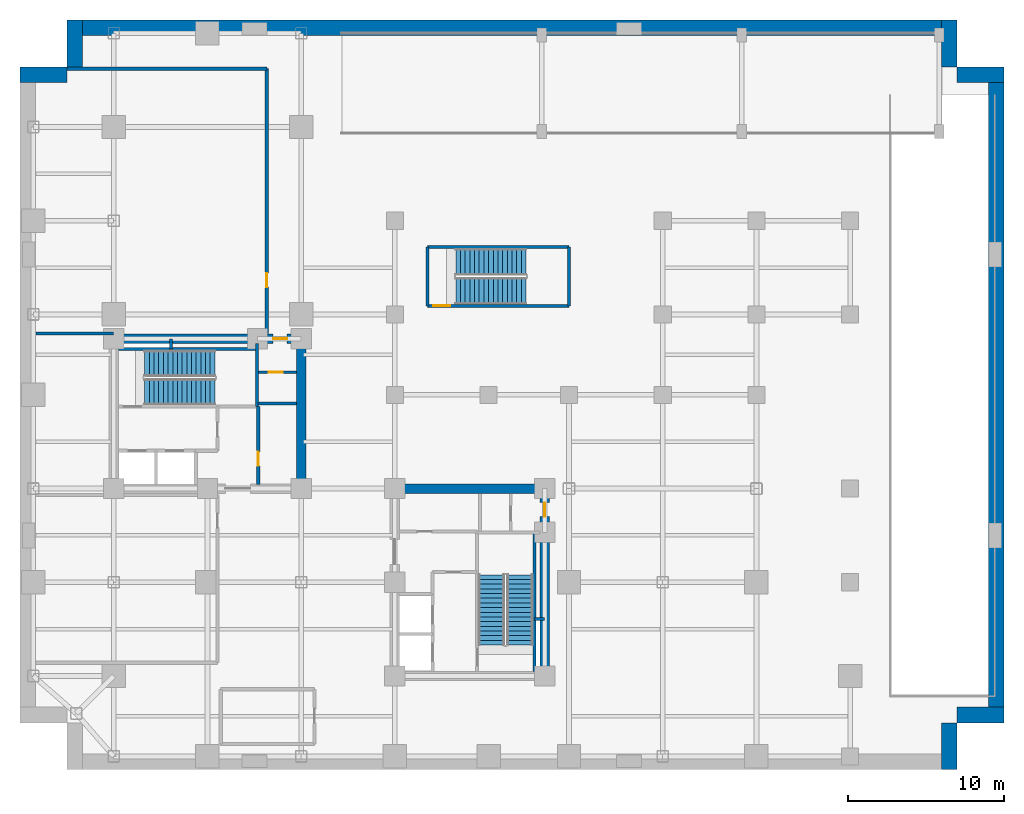
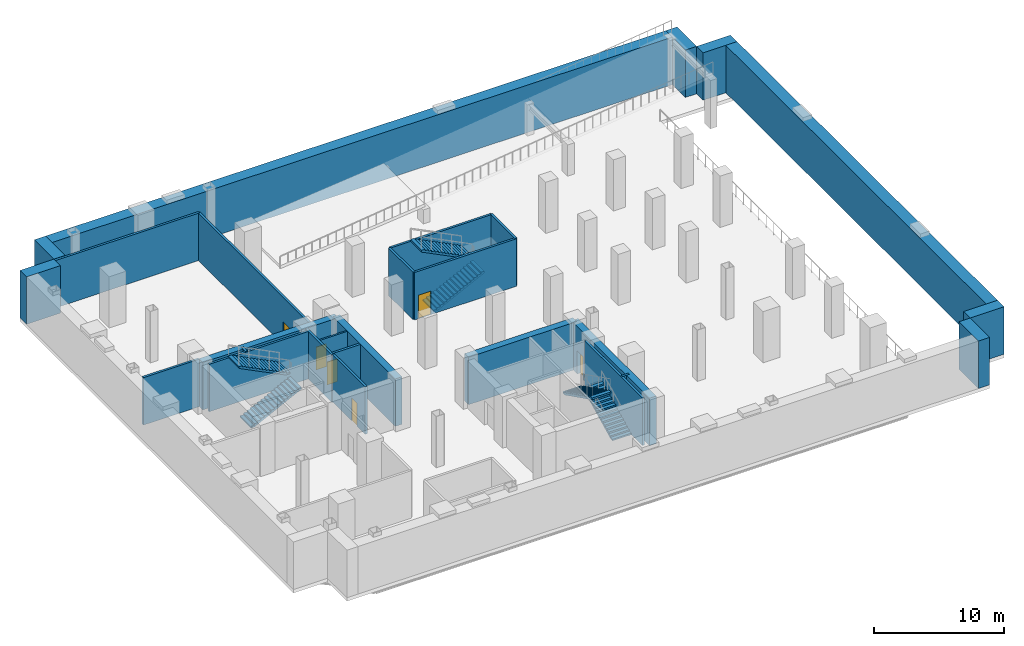
# One storey, part 4 of 6: 27 walls, 6 doors, 6 stair flights, 6 openings, 3 elements without a shape of their own.
"""IFC4 building model written with IfcOpenShell, lengths in metres."""

import ifcopenshell
import ifcopenshell.guid

model = None  # the IFC model being written
_history = None  # IfcOwnerHistory: only IFC2X3 demands one
_inside = {}  # id of a spatial element -> (the spatial element, [elements in it])
_under = {}  # id of a project, library or spatial element -> (it, [spatial elements below it])
_declared = {}  # id of a project -> (the project, [libraries it declares])
_typed = {}  # id of a type object -> (the type object, [elements of that type])
_made_of = {}  # id of a material, layer set ... -> (it, [elements and type objects made of it])


def new_model(schema):
    """Start an empty IFC model of exactly this schema.

    Asked for "IFC4X3", IfcOpenShell would pick the latest addendum, in which some entities
    have other attributes; the version numbers below select the first issue.
    IFC2X3 requires an IfcOwnerHistory on every rooted entity: one is made here for all.
    """
    global model, _history
    if schema == "IFC4X3":
        model = ifcopenshell.file(schema_version=(4, 3, 0, 0))
    else:
        model = ifcopenshell.file(schema=schema)
    _inside.clear()
    _under.clear()
    _declared.clear()
    _typed.clear()
    _made_of.clear()
    _history = None
    if model.schema == "IFC2X3":
        org = make("IfcOrganization", Name="unknown")
        user = make(
            "IfcPersonAndOrganization",
            ThePerson=make("IfcPerson", FamilyName="unknown"),
            TheOrganization=org,
        )
        app = make(
            "IfcApplication",
            ApplicationDeveloper=org,
            Version="unknown",
            ApplicationFullName="unknown",
            ApplicationIdentifier="unknown",
        )
        _history = make(
            "IfcOwnerHistory",
            OwningUser=user,
            OwningApplication=app,
            ChangeAction="ADDED",
            CreationDate=0,
        )
    return model


def make(cls, **values):
    """One entity of the class cls with the attributes given. An attribute that is None is left unset."""
    return model.create_entity(
        cls, **{name: value for name, value in values.items() if value is not None}
    )


def rooted(cls, **values):
    """An entity with a GlobalId (a new one), such as an element, a storey or a relation."""
    return make(cls, GlobalId=ifcopenshell.guid.new(), OwnerHistory=_history, **values)


def si_unit(unit_type, name, prefix=None):
    """IfcSIUnit, for example si_unit("LENGTHUNIT", "METRE", prefix="MILLI")."""
    return make("IfcSIUnit", UnitType=unit_type, Prefix=prefix, Name=name)


def assignment(units):
    """IfcUnitAssignment: the units of a project."""
    return None if units is None else make("IfcUnitAssignment", Units=units)


def point(xyz):
    """IfcCartesianPoint."""
    return None if xyz is None else make("IfcCartesianPoint", Coordinates=xyz)


def direction(xyz):
    """IfcDirection."""
    return None if xyz is None else make("IfcDirection", DirectionRatios=xyz)


def frame(location, z_axis=None, x_axis=None):
    """IfcAxis2Placement3D, a coordinate frame: its origin and axes. An axis left out is left unset."""
    return make(
        "IfcAxis2Placement3D",
        Location=point(location),
        Axis=direction(z_axis),
        RefDirection=direction(x_axis),
    )


def frame_2d(location, x_axis=None):
    """IfcAxis2Placement2D, a coordinate frame in the plane: its origin and x axis."""
    return make(
        "IfcAxis2Placement2D", Location=point(location), RefDirection=direction(x_axis)
    )


def origin():
    """The frame at (0, 0, 0) with its axes left unset."""
    return frame((0.0, 0.0, 0.0))


def place(relative_to, where):
    """IfcLocalPlacement: puts the frame where relative to a parent placement (None: the world)."""
    return make(
        "IfcLocalPlacement", PlacementRelTo=relative_to, RelativePlacement=where
    )


def context(
    kind, dimensions, precision=None, world=None, true_north=None, identifier=None
):
    """IfcGeometricRepresentationContext, for example the 3D "Model" context."""
    return make(
        "IfcGeometricRepresentationContext",
        ContextIdentifier=identifier,
        ContextType=kind,
        CoordinateSpaceDimension=dimensions,
        Precision=precision,
        WorldCoordinateSystem=world,
        TrueNorth=true_north,
    )


def subcontext(parent, identifier, kind, view, scale=None):
    """IfcGeometricRepresentationSubContext, for example "Body" below "Model"."""
    return make(
        "IfcGeometricRepresentationSubContext",
        ContextIdentifier=identifier,
        ContextType=kind,
        ParentContext=parent,
        TargetScale=scale,
        TargetView=view,
    )


def project(units=None, contexts=None):
    """IfcProject with its units and contexts."""
    return rooted(
        "IfcProject",
        Name="project",
        RepresentationContexts=contexts,
        UnitsInContext=assignment(units),
    )


def spatial(cls, under=None, at=None, **own):
    """A site, building, storey or space (cls), placed at a placement, below another one or the project."""
    s = rooted(cls, ObjectPlacement=at, **own)
    if under is not None:
        _under.setdefault(under.id(), (under, []))[1].append(s)
    return s


def polyline(points):
    """IfcPolyline through the points."""
    return make("IfcPolyline", Points=[point(p) for p in points])


def profile(cls, at=None, kind="AREA", **sizes):
    """A parametric profile (cls). Its sizes go by their IFC names, for example OverallWidth=200.0."""
    return make(cls, ProfileType=kind, Position=at, **sizes)


def rectangle(**sizes):
    """IfcRectangleProfileDef."""
    return profile("IfcRectangleProfileDef", **sizes)


def outline(outer, holes=None, kind="AREA"):
    """IfcArbitraryClosedProfileDef: a profile drawn as a closed curve; with holes, ...WithVoids."""
    if holes is None:
        return make("IfcArbitraryClosedProfileDef", ProfileType=kind, OuterCurve=outer)
    return make(
        "IfcArbitraryProfileDefWithVoids",
        ProfileType=kind,
        OuterCurve=outer,
        InnerCurves=holes,
    )


def extrude(swept, where, along, depth):
    """IfcExtrudedAreaSolid: the profile swept, set in the frame where, extruded along a direction by depth."""
    return make(
        "IfcExtrudedAreaSolid",
        SweptArea=swept,
        Position=where,
        ExtrudedDirection=direction(along),
        Depth=depth,
    )


def shape(context_of_items, identifier, shape_type, items):
    """IfcShapeRepresentation: the items that make up one representation, for example the "Body"."""
    return make(
        "IfcShapeRepresentation",
        ContextOfItems=context_of_items,
        RepresentationIdentifier=identifier,
        RepresentationType=shape_type,
        Items=items,
    )


def material(Name=None, Category=None):
    """IfcMaterial."""
    return make("IfcMaterial", Name=Name, Category=Category)


def layer(
    of_material, thickness, ventilated=None, Name=None, Category=None, Priority=None
):
    """IfcMaterialLayer: one layer of a wall or slab, of a material (None: an air gap)."""
    return make(
        "IfcMaterialLayer",
        Material=of_material,
        LayerThickness=thickness,
        IsVentilated=ventilated,
        Name=Name,
        Category=Category,
        Priority=Priority,
    )


def layer_set(layers, Name=None):
    """IfcMaterialLayerSet."""
    return make("IfcMaterialLayerSet", MaterialLayers=layers, LayerSetName=Name)


def made_of(thing, what):
    """Note that an element or type object is made of a material, layer set ...; save() writes the relation."""
    if what is not None:
        _made_of.setdefault(what.id(), (what, []))[1].append(thing)
    return thing


def type_object(cls, material=None, **own):
    """A type object (cls), such as IfcWallType, which elements share."""
    return made_of(rooted(cls, **own), material)


def element(
    cls,
    number,
    at=None,
    inside=None,
    cuts=None,
    type_object=None,
    material=None,
    context=None,
    identifier="Body",
    shape_type=None,
    held_by="IfcProductDefinitionShape",
    body=None,
    shapes=None,
    **own,
):
    """One element of the class cls, such as IfcWall. Its Tag is "e" and its number.

    at: its placement. inside: the storey or other place that contains it. cuts: it is an
    opening in that element (IfcRelVoidsElement). A single representation is given by context,
    identifier, shape_type and body (its items); several are given by shapes. held_by: the class
    of the entity that holds the representations. save() writes the other relations.
    """
    e = rooted(cls, Tag="e%d" % number, ObjectPlacement=at, **own)
    if body is not None:
        shapes = [shape(context, identifier, shape_type, body)]
    if shapes is not None:
        e.Representation = make(held_by, Representations=shapes)
    if inside is not None:
        _inside.setdefault(inside.id(), (inside, []))[1].append(e)
    if cuts is not None:
        rooted(
            "IfcRelVoidsElement", RelatingBuildingElement=cuts, RelatedOpeningElement=e
        )
    if type_object is not None:
        _typed.setdefault(type_object.id(), (type_object, []))[1].append(e)
    return made_of(e, material)


def fill(opening, filler):
    """IfcRelFillsElement: the door or window that sits in an opening."""
    return rooted(
        "IfcRelFillsElement",
        RelatingOpeningElement=opening,
        RelatedBuildingElement=filler,
    )


def aggregate(whole, parts):
    """IfcRelAggregates: a whole, such as a stair, and the parts it consists of."""
    return rooted("IfcRelAggregates", RelatingObject=whole, RelatedObjects=parts)


def save(model, path):
    """Write the relations noted so far, then the file.

    IfcRelAggregates (storeys below a building ...), IfcRelContainedInSpatialStructure (elements
    in a storey), IfcRelDefinesByType, IfcRelAssociatesMaterial and IfcRelDeclares: one each for
    every whole, place, type object, material and project.
    """
    for whole, parts in _under.values():
        aggregate(whole, parts)
    for where, things in _inside.values():
        rooted(
            "IfcRelContainedInSpatialStructure",
            RelatedElements=things,
            RelatingStructure=where,
        )
    for kind, things in _typed.values():
        rooted("IfcRelDefinesByType", RelatedObjects=things, RelatingType=kind)
    for what, things in _made_of.values():
        rooted("IfcRelAssociatesMaterial", RelatedObjects=things, RelatingMaterial=what)
    for by, libraries in _declared.values():
        rooted("IfcRelDeclares", RelatingContext=by, RelatedDefinitions=libraries)
    model.write(path)


model = new_model("IFC4")

# Units and contexts
model_context = context("Model", 3, precision=1e-05, world=origin(), true_north=direction((0.0, 1.0)))
body_context = subcontext(model_context, "Body", "Model", "MODEL_VIEW")
ifc_project = project(units=[si_unit("LENGTHUNIT", "METRE"), si_unit("AREAUNIT", "SQUARE_METRE"), si_unit("VOLUMEUNIT", "CUBIC_METRE"), si_unit("PLANEANGLEUNIT", "RADIAN"), si_unit("MASSUNIT", "GRAM", prefix="KILO"), si_unit("THERMODYNAMICTEMPERATUREUNIT", "KELVIN"), si_unit("POWERUNIT", "WATT")], contexts=[model_context])

# Site, building, storey
site_placement = place(None, origin())
site = spatial("IfcSite", under=ifc_project, at=site_placement, CompositionType="ELEMENT")
building_placement = place(site_placement, origin())
building = spatial("IfcBuilding", under=site, at=building_placement, Name="Svarakhadi Broadcast Tower", CompositionType="ELEMENT")
storey_placement = place(building_placement, frame((0.0, 0.0, -4.800048828125)))
storey = spatial("IfcBuildingStorey", under=building, at=storey_placement, Name="B01", CompositionType="ELEMENT", Elevation=-4.800048828125)

# Walls
ifc_material_1 = material(Name="Concrete C45/55 (IS 456 M55 Marine)", Category="concrete")
ifc_layer_1 = layer(ifc_material_1, 1.0)
ifc_layer_set_1 = layer_set([ifc_layer_1], Name="Concrete C45/55 (IS 456 M55 Marine)")
wall_type_1 = type_object("IfcWallType", Name="Wall_Diaphragm_1000", PredefinedType="USERDEFINED", material=ifc_layer_set_1)
for number, where, z_axis, x_axis, name in (
    (1, (0.0, 44.5, 0.0), (0.0, 0.0, 1.0), (1.0, 0.0, 0.0), "B01 Perimeter Slurry Diaphragm Retaining Wall 03"),
    (2, (3.5, 45.0, 0.0), (0.0, 0.0, 1.0), (0.0, 1.0, 0.0), "B01 Perimeter Slurry Diaphragm Retaining Wall 04"),
):
    element("IfcWall", number, at=place(storey_placement, frame(where, z_axis=z_axis, x_axis=x_axis)), inside=storey, type_object=wall_type_1, Name=name, ObjectType="RETAININGWALL", PredefinedType="USERDEFINED", context=body_context, shape_type="SweptSolid", body=[
        extrude(rectangle(XDim=3.0, YDim=1.0, at=frame_2d((1.5, 0.0))), origin(), (0.0, 0.0, 1.0), 4.449951171875),
    ])
wall_1_placement = place(storey_placement, frame((3.0, 47.5, 0.0), z_axis=(0.0, 0.0, 1.0), x_axis=(1.0, 0.0, 0.0)))
element("IfcWall", 3, at=wall_1_placement, inside=storey, type_object=wall_type_1, Name="B01 Perimeter Slurry Diaphragm Retaining Wall 05", ObjectType="RETAININGWALL", PredefinedType="USERDEFINED", context=body_context, shape_type="SweptSolid", body=[
    extrude(rectangle(XDim=57.0, YDim=1.0, at=frame_2d((28.5, 0.0))), origin(), (0.0, 0.0, 1.0), 4.449951171875),
])
for number, where, z_axis, x_axis, name in (
    (4, (59.5, 48.0, 0.0), (0.0, 0.0, 1.0), (0.0, -1.0, 0.0), "B01 Perimeter Slurry Diaphragm Retaining Wall 06"),
    (5, (60.0, 44.5, 0.0), (0.0, 0.0, 1.0), (1.0, 0.0, 0.0), "B01 Perimeter Slurry Diaphragm Retaining Wall 07"),
):
    element("IfcWall", number, at=place(storey_placement, frame(where, z_axis=z_axis, x_axis=x_axis)), inside=storey, type_object=wall_type_1, Name=name, ObjectType="RETAININGWALL", PredefinedType="USERDEFINED", context=body_context, shape_type="SweptSolid", body=[
        extrude(rectangle(XDim=3.0, YDim=1.0, at=frame_2d((1.5, 0.0))), origin(), (0.0, 0.0, 1.0), 4.449951171875),
    ])
wall_2_placement = place(storey_placement, frame((62.5, 45.0, 0.0), z_axis=(0.0, 0.0, 1.0), x_axis=(0.0, -1.0, 0.0)))
element("IfcWall", 6, at=wall_2_placement, inside=storey, type_object=wall_type_1, Name="B01 Perimeter Slurry Diaphragm Retaining Wall 08", ObjectType="RETAININGWALL", PredefinedType="USERDEFINED", context=body_context, shape_type="SweptSolid", body=[
    extrude(rectangle(XDim=42.0, YDim=1.0, at=frame_2d((21.0, 0.0))), origin(), (0.0, 0.0, 1.0), 4.449951171875),
])
for number, where, z_axis, x_axis, name in (
    (7, (63.0, 3.5, 0.0), (0.0, 0.0, 1.0), (-1.0, 0.0, 0.0), "B01 Perimeter Slurry Diaphragm Retaining Wall 09"),
    (8, (59.5, 3.0, 0.0), (0.0, 0.0, 1.0), (0.0, -1.0, 0.0), "B01 Perimeter Slurry Diaphragm Retaining Wall 10"),
):
    element("IfcWall", number, at=place(storey_placement, frame(where, z_axis=z_axis, x_axis=x_axis)), inside=storey, type_object=wall_type_1, Name=name, ObjectType="RETAININGWALL", PredefinedType="USERDEFINED", context=body_context, shape_type="SweptSolid", body=[
        extrude(rectangle(XDim=3.0, YDim=1.0, at=frame_2d((1.5, 0.0))), origin(), (0.0, 0.0, 1.0), 4.449951171875),
    ])
ifc_material_2 = material(Name="Concrete C40/50 (IS 456 M50)", Category="concrete")
ifc_layer_2 = layer(ifc_material_2, 0.199951171875)
ifc_layer_set_2 = layer_set([ifc_layer_2], Name="Concrete C40/50 (IS 456 M50)")
wall_type_2 = type_object("IfcWallType", Name="Wall_Fire_200", PredefinedType="SOLIDWALL", material=ifc_layer_set_2)
for number, where, z_axis, x_axis, name in (
    (9, (9.659912109375, 26.93994140625, 0.0), (0.0, 0.0, 1.0), (0.0, 1.0, 0.0), "B01 Wet Riser Shaft East Wall"),
    (10, (32.93994140625, 9.659912109375, 0.0), (0.0, 0.0, 1.0), (1.0, 0.0, 0.0), "B01 HV Busduct Riser Shaft North Wall"),
):
    element("IfcWall", number, at=place(storey_placement, frame(where, z_axis=z_axis, x_axis=x_axis)), inside=storey, type_object=wall_type_2, Name=name, PredefinedType="SOLIDWALL", context=body_context, shape_type="SweptSolid", body=[
        extrude(rectangle(XDim=0.64013671875, YDim=0.199951171875, at=frame_2d((0.320068359375, 0.0))), origin(), (0.0, 0.0, 1.0), 4.449951171875),
    ])

# Wall, opening, door
wall_3_placement = place(storey_placement, frame((15.25, 18.25, 0.0), z_axis=(0.0, 0.0, 1.0), x_axis=(0.0, 1.0, 0.0)))
wall_3 = element("IfcWall", 11, at=wall_3_placement, inside=storey, type_object=wall_type_2, Name="B01 Bank C West Motor Room Wall", PredefinedType="SOLIDWALL", context=body_context, shape_type="SweptSolid", body=[
    extrude(rectangle(XDim=5.010009765625, YDim=0.199951171875, at=frame_2d((2.5048828125, 0.0))), origin(), (0.0, 0.0, 1.0), 4.449951171875),
])
opening_1_placement = place(wall_3_placement, frame((1.199951171875, 0.0, 0.0)))
opening_1 = element("IfcOpeningElement", 12, at=opening_1_placement, cuts=wall_3, Name="Opening D-04", PredefinedType="OPENING", context=body_context, shape_type="SweptSolid", body=[
    extrude(rectangle(XDim=0.89990234375, YDim=2.14990234375, at=frame_2d((0.449951171875, 1.074951171875))), frame((0.0, 0.10986328125, 0.0), z_axis=(0.0, -1.0, 0.0), x_axis=(1.0, 0.0, 0.0)), (0.0, 0.0, 1.0), 0.219970703125),
])
ifc_material_3 = material(Name="Galvanised Powder-Coated Fire-Rated Steel Leaf", Category="steel")
door_type_1 = type_object("IfcDoorType", Name="Door_Fire_D04", OperationType="SINGLE_SWING_RIGHT", PredefinedType="DOOR", material=ifc_material_3)
door_1_placement = place(opening_1_placement, origin())
door_1 = element("IfcDoor", 13, at=door_1_placement, inside=storey, type_object=door_type_1, Name="B01 Bank C West Motor Room Door", OperationType="SINGLE_SWING_RIGHT", OverallHeight=2.14990234375, OverallWidth=0.89990234375, PredefinedType="DOOR", context=body_context, shape_type="SweptSolid", body=[
    extrude(rectangle(XDim=0.89990234375, YDim=2.14990234375, at=frame_2d((0.449951171875, 1.074951171875))), frame((0.0, 0.02490234375, 0.0), z_axis=(0.0, -1.0, 0.0), x_axis=(1.0, 0.0, 0.0)), (0.0, 0.0, 1.0), 0.050048828125),
])
fill(opening_1, door_1)

# Walls
wall_4_placement = place(storey_placement, frame((15.25, 23.449951171875, 0.0), z_axis=(0.0, 0.0, 1.0), x_axis=(1.0, 0.0, 0.0)))
element("IfcWall", 14, at=wall_4_placement, inside=storey, type_object=wall_type_2, Name="B01 Bank C West Motor Room North Wall", PredefinedType="SOLIDWALL", context=body_context, shape_type="SweptSolid", body=[
    extrude(rectangle(XDim=2.449951171875, YDim=0.199951171875, at=frame_2d((1.22509765625, 0.0))), origin(), (0.0, 0.0, 1.0), 4.449951171875),
])
wall_5_placement = place(storey_placement, frame((1.02001953125, 27.919921875, 0.0), z_axis=(0.0, 0.0, 1.0), x_axis=(1.0, 0.0, 0.0)))
element("IfcWall", 15, at=wall_5_placement, inside=storey, type_object=wall_type_2, Name="B01 Staff Secure Bicycle Hub and Shower Changing Wall", PredefinedType="SOLIDWALL", context=body_context, shape_type="SweptSolid", body=[
    extrude(rectangle(XDim=4.97998046875, YDim=0.199951171875, at=frame_2d((2.489990234375, 0.0))), origin(), (0.0, 0.0, 1.0), 4.449951171875),
])
wall_6_placement = place(storey_placement, frame((3.0, 44.8798828125, 0.0), z_axis=(0.0, 0.0, 1.0), x_axis=(1.0, 0.0, 0.0)))
element("IfcWall", 16, at=wall_6_placement, inside=storey, type_object=wall_type_2, Name="B01 Staff Secure Bicycle Hub and Shower Changing Wall", PredefinedType="SOLIDWALL", context=body_context, shape_type="SweptSolid", body=[
    extrude(rectangle(XDim=12.800048828125, YDim=0.199951171875, at=frame_2d((6.39990234375, 0.0))), origin(), (0.0, 0.0, 1.0), 4.449951171875),
])

# Wall, opening, door
wall_7_placement = place(storey_placement, frame((15.800048828125, 27.919921875, 0.0), z_axis=(0.0, 0.0, 1.0), x_axis=(0.0, 1.0, 0.0)))
wall_7 = element("IfcWall", 17, at=wall_7_placement, inside=storey, type_object=wall_type_2, Name="B01 Staff Secure Bicycle Hub and Shower Changing Wall", PredefinedType="SOLIDWALL", context=body_context, shape_type="SweptSolid", body=[
    extrude(rectangle(XDim=16.9599609375, YDim=0.199951171875, at=frame_2d((8.47998046875, 0.0))), origin(), (0.0, 0.0, 1.0), 4.449951171875),
])
opening_2_placement = place(wall_7_placement, frame((2.97998046875, 0.0, 0.0)))
opening_2 = element("IfcOpeningElement", 18, at=opening_2_placement, cuts=wall_7, Name="Opening D-03", PredefinedType="OPENING", context=body_context, shape_type="SweptSolid", body=[
    extrude(rectangle(XDim=0.89990234375, YDim=2.14990234375, at=frame_2d((0.449951171875, 1.074951171875))), frame((0.0, 0.10986328125, 0.0), z_axis=(0.0, -1.0, 0.0), x_axis=(1.0, 0.0, 0.0)), (0.0, 0.0, 1.0), 0.219970703125),
])
door_type_2 = type_object("IfcDoorType", Name="Door_Fire_D03", OperationType="SINGLE_SWING_LEFT", PredefinedType="DOOR", material=ifc_material_3)
door_2_placement = place(opening_2_placement, origin())
door_2 = element("IfcDoor", 19, at=door_2_placement, inside=storey, type_object=door_type_2, Name="B01 Staff Secure Bicycle Hub and Shower Changing Door", OperationType="SINGLE_SWING_LEFT", OverallHeight=2.14990234375, OverallWidth=0.89990234375, PredefinedType="DOOR", context=body_context, shape_type="SweptSolid", body=[
    extrude(rectangle(XDim=0.89990234375, YDim=2.14990234375, at=frame_2d((0.449951171875, 1.074951171875))), frame((0.0, 0.02490234375, 0.0), z_axis=(0.0, -1.0, 0.0), x_axis=(1.0, 0.0, 0.0)), (0.0, 0.0, 1.0), 0.050048828125),
])
fill(opening_2, door_2)

ifc_material_4 = material(Name="Autoclaved Aerated Concrete Blockwork 150 mm", Category="masonry")
ifc_layer_3 = layer(ifc_material_4, 0.14990234375)
ifc_layer_set_3 = layer_set([ifc_layer_3], Name="Autoclaved Aerated Concrete Blockwork 150 mm")
wall_type_3 = type_object("IfcWallType", Name="Wall_Part_150", PredefinedType="PARTITIONING", material=ifc_layer_set_3)
wall_8_placement = place(storey_placement, frame((15.280029296875, 25.43994140625, 0.0), z_axis=(0.0, 0.0, 1.0), x_axis=(1.0, 0.0, 0.0)))
wall_8 = element("IfcWall", 20, at=wall_8_placement, inside=storey, type_object=wall_type_3, Name="B01 West Core Dual Store Wall", PredefinedType="PARTITIONING", context=body_context, shape_type="SweptSolid", body=[
    extrude(rectangle(XDim=2.419921875, YDim=0.14990234375, at=frame_2d((1.2099609375, 0.0))), origin(), (0.0, 0.0, 1.0), 4.449951171875),
])
opening_3_placement = place(wall_8_placement, frame((0.64990234375, 0.0, 0.0)))
opening_3 = element("IfcOpeningElement", 21, at=opening_3_placement, cuts=wall_8, Name="Opening D-04", PredefinedType="OPENING", context=body_context, shape_type="SweptSolid", body=[
    extrude(rectangle(XDim=0.89990234375, YDim=2.14990234375, at=frame_2d((0.449951171875, 1.074951171875))), frame((0.0, 0.0849609375, 0.0), z_axis=(0.0, -1.0, 0.0), x_axis=(1.0, 0.0, 0.0)), (0.0, 0.0, 1.0), 0.169921875),
])
door_3_placement = place(opening_3_placement, origin())
door_3 = element("IfcDoor", 22, at=door_3_placement, inside=storey, type_object=door_type_1, Name="B01 West Core Store B Door", OperationType="SINGLE_SWING_RIGHT", OverallHeight=2.14990234375, OverallWidth=0.89990234375, PredefinedType="DOOR", context=body_context, shape_type="SweptSolid", body=[
    extrude(rectangle(XDim=0.89990234375, YDim=2.14990234375, at=frame_2d((0.449951171875, 1.074951171875))), frame((0.0, 0.02490234375, 0.0), z_axis=(0.0, -1.0, 0.0), x_axis=(1.0, 0.0, 0.0)), (0.0, 0.0, 1.0), 0.050048828125),
])
fill(opening_3, door_3)

# Walls
ifc_material_5 = material(Name="Concrete C50/60 (IS 456 M60)", Category="concrete")
ifc_layer_4 = layer(ifc_material_5, 0.199951171875)
ifc_layer_set_4 = layer_set([ifc_layer_4], Name="Concrete C50/60 (IS 456 M60)")
wall_type_4 = type_object("IfcWallType", Name="Wall_Shear_200", PredefinedType="SHEAR", material=ifc_layer_set_4)
wall_9_placement = place(storey_placement, frame((6.300048828125, 26.93994140625, 0.0), z_axis=(0.0, 0.0, 1.0), x_axis=(1.0, 0.0, 0.0)))
element("IfcWall", 23, at=wall_9_placement, inside=storey, type_object=wall_type_4, Name="B01 Stair ST-01 North RC Shaft Wall", PredefinedType="SHEAR", context=body_context, shape_type="SweptSolid", body=[
    extrude(rectangle(XDim=8.8798828125, YDim=0.199951171875, at=frame_2d((4.43994140625, 0.0))), origin(), (0.0, 0.0, 1.0), 4.449951171875),
])
wall_10_placement = place(storey_placement, frame((15.179931640625, 23.260009765625, 0.0), z_axis=(0.0, 0.0, 1.0), x_axis=(0.0, 1.0, 0.0)))
element("IfcWall", 24, at=wall_10_placement, inside=storey, type_object=wall_type_4, Name="B01 Stair ST-01 East RC Shaft Wall", PredefinedType="SHEAR", context=body_context, shape_type="SweptSolid", body=[
    extrude(rectangle(XDim=4.0400390625, YDim=0.199951171875, at=frame_2d((2.02001953125, 0.0))), origin(), (0.0, 0.0, 1.0), 4.449951171875),
])
wall_11_placement = place(storey_placement, frame((32.93994140625, 6.300048828125, 0.0), z_axis=(0.0, 0.0, 1.0), x_axis=(0.0, 1.0, 0.0)))
element("IfcWall", 25, at=wall_11_placement, inside=storey, type_object=wall_type_4, Name="B01 Stair ST-02 East RC Shaft Wall", PredefinedType="SHEAR", context=body_context, shape_type="SweptSolid", body=[
    extrude(rectangle(XDim=8.8798828125, YDim=0.199951171875, at=frame_2d((4.43994140625, 0.0))), origin(), (0.0, 0.0, 1.0), 4.449951171875),
])

# Wall, opening, door
wall_12_placement = place(storey_placement, frame((26.10009765625, 29.699951171875, 0.0), z_axis=(0.0, 0.0, 1.0), x_axis=(1.0, 0.0, 0.0)))
wall_12 = element("IfcWall", 26, at=wall_12_placement, inside=storey, type_object=wall_type_4, Name="B01 Stair ST-03 South RC Shaft Wall", PredefinedType="SHEAR", context=body_context, shape_type="SweptSolid", body=[
    extrude(rectangle(XDim=9.0498046875, YDim=0.199951171875, at=frame_2d((4.52490234375, 0.0))), origin(), (0.0, 0.0, 1.0), 4.449951171875),
])
opening_4_placement = place(wall_12_placement, frame((0.35009765625, 0.0, 0.0)))
opening_4 = element("IfcOpeningElement", 27, at=opening_4_placement, cuts=wall_12, Name="Opening D-01", PredefinedType="OPENING", context=body_context, shape_type="SweptSolid", body=[
    extrude(rectangle(XDim=1.10009765625, YDim=2.199951171875, at=frame_2d((0.550048828125, 1.10009765625))), frame((0.0, 0.10986328125, 0.0), z_axis=(0.0, -1.0, 0.0), x_axis=(1.0, 0.0, 0.0)), (0.0, 0.0, 1.0), 0.219970703125),
])
door_type_3 = type_object("IfcDoorType", Name="Door_Stair_D01", OperationType="SINGLE_SWING_LEFT", PredefinedType="DOOR", material=ifc_material_3)
door_4_placement = place(opening_4_placement, origin())
door_4 = element("IfcDoor", 28, at=door_4_placement, inside=storey, type_object=door_type_3, Name="B01 Podium Stair ST-03 Fire Door", OperationType="SINGLE_SWING_LEFT", OverallHeight=2.199951171875, OverallWidth=1.10009765625, PredefinedType="DOOR", context=body_context, shape_type="SweptSolid", body=[
    extrude(rectangle(XDim=1.10009765625, YDim=2.199951171875, at=frame_2d((0.550048828125, 1.10009765625))), frame((0.0, 0.02490234375, 0.0), z_axis=(0.0, -1.0, 0.0), x_axis=(1.0, 0.0, 0.0)), (0.0, 0.0, 1.0), 0.050048828125),
])
fill(opening_4, door_4)

# Walls
wall_13_placement = place(storey_placement, frame((26.10009765625, 33.4599609375, 0.0), z_axis=(0.0, 0.0, 1.0), x_axis=(1.0, 0.0, 0.0)))
element("IfcWall", 29, at=wall_13_placement, inside=storey, type_object=wall_type_4, Name="B01 Stair ST-03 North RC Shaft Wall", PredefinedType="SHEAR", context=body_context, shape_type="SweptSolid", body=[
    extrude(rectangle(XDim=9.0498046875, YDim=0.199951171875, at=frame_2d((4.52490234375, 0.0))), origin(), (0.0, 0.0, 1.0), 4.449951171875),
])
for number, where, z_axis, x_axis, name in (
    (30, (26.10009765625, 29.699951171875, 0.0), (0.0, 0.0, 1.0), (0.0, 1.0, 0.0), "B01 Stair ST-03 West RC Shaft Wall"),
    (31, (35.14990234375, 29.699951171875, 0.0), (0.0, 0.0, 1.0), (0.0, 1.0, 0.0), "B01 Stair ST-03 East RC Shaft Wall"),
):
    element("IfcWall", number, at=place(storey_placement, frame(where, z_axis=z_axis, x_axis=x_axis)), inside=storey, type_object=wall_type_4, Name=name, PredefinedType="SHEAR", context=body_context, shape_type="SweptSolid", body=[
        extrude(rectangle(XDim=3.760009765625, YDim=0.199951171875, at=frame_2d((1.8798828125, 0.0))), origin(), (0.0, 0.0, 1.0), 4.449951171875),
    ])

# Wall, opening, door
ifc_material_6 = material(Name="Concrete C60/75 (IS 456 M70)", Category="concrete")
ifc_layer_5 = layer(ifc_material_6, 0.60009765625)
ifc_layer_set_5 = layer_set([ifc_layer_5], Name="Concrete C60/75 (IS 456 M70)")
wall_type_5 = type_object("IfcWallType", Name="Wall_Shear_600", PredefinedType="SHEAR", material=ifc_layer_set_5)
wall_14_placement = place(storey_placement, frame((6.0, 27.60009765625, 0.0), z_axis=(0.0, 0.0, 1.0), x_axis=(1.0, 0.0, 0.0)))
wall_14 = element("IfcWall", 32, at=wall_14_placement, inside=storey, type_object=wall_type_5, Name="B01 West Core North Shear Wall", PredefinedType="SHEAR", context=body_context, shape_type="SweptSolid", body=[
    extrude(rectangle(XDim=12.0, YDim=0.60009765625, at=frame_2d((6.0, 0.0))), origin(), (0.0, 0.0, 1.0), 4.449951171875),
])
opening_5_placement = place(wall_14_placement, frame((10.199951171875, 0.0, 0.0)))
opening_5 = element("IfcOpeningElement", 33, at=opening_5_placement, cuts=wall_14, Name="Opening D-03", PredefinedType="OPENING", context=body_context, shape_type="SweptSolid", body=[
    extrude(rectangle(XDim=0.89990234375, YDim=2.14990234375, at=frame_2d((0.449951171875, 1.074951171875))), frame((0.0, 0.31005859375, 0.0), z_axis=(0.0, -1.0, 0.0), x_axis=(1.0, 0.0, 0.0)), (0.0, 0.0, 1.0), 0.6201171875),
])
door_5_placement = place(opening_5_placement, origin())
door_5 = element("IfcDoor", 34, at=door_5_placement, inside=storey, type_object=door_type_2, Name="B01 West Core Store A Door", OperationType="SINGLE_SWING_LEFT", OverallHeight=2.14990234375, OverallWidth=0.89990234375, PredefinedType="DOOR", context=body_context, shape_type="SweptSolid", body=[
    extrude(rectangle(XDim=0.89990234375, YDim=2.14990234375, at=frame_2d((0.449951171875, 1.074951171875))), frame((0.0, 0.02490234375, 0.0), z_axis=(0.0, -1.0, 0.0), x_axis=(1.0, 0.0, 0.0)), (0.0, 0.0, 1.0), 0.050048828125),
])
fill(opening_5, door_5)

# Walls
for number, where, z_axis, x_axis, name in (
    (35, (18.0, 18.0, 0.0), (0.0, 0.0, 1.0), (0.0, 1.0, 0.0), "B01 West Core East Shear Wall"),
    (36, (24.0, 18.0, 0.0), (0.0, 0.0, 1.0), (1.0, 0.0, 0.0), "B01 East Core North Shear Wall"),
):
    element("IfcWall", number, at=place(storey_placement, frame(where, z_axis=z_axis, x_axis=x_axis)), inside=storey, type_object=wall_type_5, Name=name, PredefinedType="SHEAR", context=body_context, shape_type="SweptSolid", body=[
        extrude(rectangle(XDim=9.60009765625, YDim=0.60009765625, at=frame_2d((4.800048828125, 0.0))), origin(), (0.0, 0.0, 1.0), 4.449951171875),
    ])

# Wall, opening, door
wall_15_placement = place(storey_placement, frame((33.60009765625, 6.0, 0.0), z_axis=(0.0, 0.0, 1.0), x_axis=(0.0, 1.0, 0.0)))
wall_15 = element("IfcWall", 37, at=wall_15_placement, inside=storey, type_object=wall_type_5, Name="B01 East Core East Shear Wall", PredefinedType="SHEAR", context=body_context, shape_type="SweptSolid", body=[
    extrude(rectangle(XDim=12.0, YDim=0.60009765625, at=frame_2d((6.0, 0.0))), origin(), (0.0, 0.0, 1.0), 4.449951171875),
])
opening_6_placement = place(wall_15_placement, frame((10.199951171875, 0.0, 0.0)))
opening_6 = element("IfcOpeningElement", 38, at=opening_6_placement, cuts=wall_15, Name="Opening D-03", PredefinedType="OPENING", context=body_context, shape_type="SweptSolid", body=[
    extrude(rectangle(XDim=0.89990234375, YDim=2.14990234375, at=frame_2d((0.449951171875, 1.074951171875))), frame((0.0, 0.31005859375, 0.0), z_axis=(0.0, -1.0, 0.0), x_axis=(1.0, 0.0, 0.0)), (0.0, 0.0, 1.0), 0.6201171875),
])
door_6_placement = place(opening_6_placement, origin())
door_6 = element("IfcDoor", 39, at=door_6_placement, inside=storey, type_object=door_type_2, Name="B01 East Core Store A Door", OperationType="SINGLE_SWING_LEFT", OverallHeight=2.14990234375, OverallWidth=0.89990234375, PredefinedType="DOOR", context=body_context, shape_type="SweptSolid", body=[
    extrude(rectangle(XDim=0.89990234375, YDim=2.14990234375, at=frame_2d((0.449951171875, 1.074951171875))), frame((0.0, 0.02490234375, 0.0), z_axis=(0.0, -1.0, 0.0), x_axis=(1.0, 0.0, 0.0)), (0.0, 0.0, 1.0), 0.050048828125),
])
fill(opening_6, door_6)

# Stair, stair flights
stair_type_1 = type_object("IfcStairType", Name="Stair_Exit_Core", PredefinedType="HALF_TURN_STAIR", material=ifc_material_2)
stair_1_placement = place(storey_placement, origin())
stair_1 = element("IfcStair", 40, at=stair_1_placement, inside=storey, type_object=stair_type_1, Name="B01 West Core Protected Exit Stair ST-01", PredefinedType="HALF_TURN_STAIR")
stair_flight_type_1 = type_object("IfcStairFlightType", Name="Flight_RC_1680", PredefinedType="STRAIGHT", material=ifc_material_2)
stair_flight_1_placement = place(storey_placement, frame((7.97998046875, 24.18994140625, 0.0), z_axis=(0.0, 0.0, 1.0), x_axis=(1.0, 0.0, 0.0)))
stair_flight_1 = element("IfcStairFlight", 41, at=stair_flight_1_placement, type_object=stair_flight_type_1, Name="ST-01 flight 1", NumberOfRisers=16, NumberOfTreads=15, PredefinedType="STRAIGHT", RiserHeight=0.15, TreadLength=0.3, context=body_context, shape_type="SweptSolid", body=[
    extrude(outline(polyline([(0.0, 0.0), (0.0, 0.14990234375), (0.300048828125, 0.14990234375), (0.300048828125, 0.300048828125), (0.60009765625, 0.300048828125), (0.60009765625, 0.449951171875), (0.89990234375, 0.449951171875), (0.89990234375, 0.60009765625), (1.199951171875, 0.60009765625), (1.199951171875, 0.75), (1.5, 0.75), (1.5, 0.89990234375), (1.800048828125, 0.89990234375), (1.800048828125, 1.050048828125), (2.10009765625, 1.050048828125), (2.10009765625, 1.199951171875), (2.39990234375, 1.199951171875), (2.39990234375, 1.35009765625), (2.699951171875, 1.35009765625), (2.699951171875, 1.5), (3.0, 1.5), (3.0, 1.64990234375), (3.300048828125, 1.64990234375), (3.300048828125, 1.800048828125), (3.60009765625, 1.800048828125), (3.60009765625, 1.949951171875), (3.89990234375, 1.949951171875), (3.89990234375, 2.10009765625), (4.199951171875, 2.10009765625), (4.199951171875, 2.25), (4.5, 2.25), (4.5, 2.39990234375), (4.5, 2.08251953125), (0.335205078125, 0.0), (0.0, 0.0)])), frame((0.0, 0.830078125, 0.0), z_axis=(0.0, -1.0, 0.0), x_axis=(1.0, 0.0, 0.0)), (0.0, 0.0, 1.0), 1.659912109375),
])
stair_flight_2_placement = place(storey_placement, frame((12.47998046875, 26.010009765625, 2.400146484375), z_axis=(0.0, 0.0, 1.0), x_axis=(-1.0, 0.0, 0.0)))
stair_flight_2 = element("IfcStairFlight", 42, at=stair_flight_2_placement, type_object=stair_flight_type_1, Name="ST-01 flight 2", NumberOfRisers=16, NumberOfTreads=15, PredefinedType="STRAIGHT", RiserHeight=0.15, TreadLength=0.3, context=body_context, shape_type="SweptSolid", body=[
    extrude(outline(polyline([(0.0, 0.0), (0.0, 0.14990234375), (0.300048828125, 0.14990234375), (0.300048828125, 0.300048828125), (0.60009765625, 0.300048828125), (0.60009765625, 0.449951171875), (0.89990234375, 0.449951171875), (0.89990234375, 0.60009765625), (1.199951171875, 0.60009765625), (1.199951171875, 0.75), (1.5, 0.75), (1.5, 0.89990234375), (1.800048828125, 0.89990234375), (1.800048828125, 1.050048828125), (2.10009765625, 1.050048828125), (2.10009765625, 1.199951171875), (2.39990234375, 1.199951171875), (2.39990234375, 1.35009765625), (2.699951171875, 1.35009765625), (2.699951171875, 1.5), (3.0, 1.5), (3.0, 1.64990234375), (3.300048828125, 1.64990234375), (3.300048828125, 1.800048828125), (3.60009765625, 1.800048828125), (3.60009765625, 1.949951171875), (3.89990234375, 1.949951171875), (3.89990234375, 2.10009765625), (4.199951171875, 2.10009765625), (4.199951171875, 2.25), (4.5, 2.25), (4.5, 2.39990234375), (4.5, 2.08251953125), (0.335205078125, 0.0), (0.0, 0.0)])), frame((0.0, 0.830078125, 0.0), z_axis=(0.0, -1.0, 0.0), x_axis=(1.0, 0.0, 0.0)), (0.0, 0.0, 1.0), 1.659912109375),
])
aggregate(stair_1, [stair_flight_1, stair_flight_2])

stair_2_placement = place(storey_placement, origin())
stair_2 = element("IfcStair", 43, at=stair_2_placement, inside=storey, type_object=stair_type_1, Name="B01 East Core Protected Exit Stair ST-02", PredefinedType="HALF_TURN_STAIR")
stair_flight_3_placement = place(storey_placement, frame((32.010009765625, 7.97998046875, 0.0), z_axis=(0.0, 0.0, 1.0), x_axis=(0.0, 1.0, 0.0)))
stair_flight_3 = element("IfcStairFlight", 44, at=stair_flight_3_placement, type_object=stair_flight_type_1, Name="ST-02 flight 1", NumberOfRisers=16, NumberOfTreads=15, PredefinedType="STRAIGHT", RiserHeight=0.15, TreadLength=0.3, context=body_context, shape_type="SweptSolid", body=[
    extrude(outline(polyline([(0.0, 0.0), (0.0, 0.14990234375), (0.300048828125, 0.14990234375), (0.300048828125, 0.300048828125), (0.60009765625, 0.300048828125), (0.60009765625, 0.449951171875), (0.89990234375, 0.449951171875), (0.89990234375, 0.60009765625), (1.199951171875, 0.60009765625), (1.199951171875, 0.75), (1.5, 0.75), (1.5, 0.89990234375), (1.800048828125, 0.89990234375), (1.800048828125, 1.050048828125), (2.10009765625, 1.050048828125), (2.10009765625, 1.199951171875), (2.39990234375, 1.199951171875), (2.39990234375, 1.35009765625), (2.699951171875, 1.35009765625), (2.699951171875, 1.5), (3.0, 1.5), (3.0, 1.64990234375), (3.300048828125, 1.64990234375), (3.300048828125, 1.800048828125), (3.60009765625, 1.800048828125), (3.60009765625, 1.949951171875), (3.89990234375, 1.949951171875), (3.89990234375, 2.10009765625), (4.199951171875, 2.10009765625), (4.199951171875, 2.25), (4.5, 2.25), (4.5, 2.39990234375), (4.5, 2.08251953125), (0.335205078125, 0.0), (0.0, 0.0)])), frame((0.0, 0.830078125, 0.0), z_axis=(0.0, -1.0, 0.0), x_axis=(1.0, 0.0, 0.0)), (0.0, 0.0, 1.0), 1.659912109375),
])
stair_flight_4_placement = place(storey_placement, frame((30.18994140625, 12.47998046875, 2.400146484375), z_axis=(0.0, 0.0, 1.0), x_axis=(0.0, -1.0, 0.0)))
stair_flight_4 = element("IfcStairFlight", 45, at=stair_flight_4_placement, type_object=stair_flight_type_1, Name="ST-02 flight 2", NumberOfRisers=16, NumberOfTreads=15, PredefinedType="STRAIGHT", RiserHeight=0.15, TreadLength=0.3, context=body_context, shape_type="SweptSolid", body=[
    extrude(outline(polyline([(0.0, 0.0), (0.0, 0.14990234375), (0.300048828125, 0.14990234375), (0.300048828125, 0.300048828125), (0.60009765625, 0.300048828125), (0.60009765625, 0.449951171875), (0.89990234375, 0.449951171875), (0.89990234375, 0.60009765625), (1.199951171875, 0.60009765625), (1.199951171875, 0.75), (1.5, 0.75), (1.5, 0.89990234375), (1.800048828125, 0.89990234375), (1.800048828125, 1.050048828125), (2.10009765625, 1.050048828125), (2.10009765625, 1.199951171875), (2.39990234375, 1.199951171875), (2.39990234375, 1.35009765625), (2.699951171875, 1.35009765625), (2.699951171875, 1.5), (3.0, 1.5), (3.0, 1.64990234375), (3.300048828125, 1.64990234375), (3.300048828125, 1.800048828125), (3.60009765625, 1.800048828125), (3.60009765625, 1.949951171875), (3.89990234375, 1.949951171875), (3.89990234375, 2.10009765625), (4.199951171875, 2.10009765625), (4.199951171875, 2.25), (4.5, 2.25), (4.5, 2.39990234375), (4.5, 2.08251953125), (0.335205078125, 0.0), (0.0, 0.0)])), frame((0.0, 0.830078125, 0.0), z_axis=(0.0, -1.0, 0.0), x_axis=(1.0, 0.0, 0.0)), (0.0, 0.0, 1.0), 1.659912109375),
])
aggregate(stair_2, [stair_flight_3, stair_flight_4])

stair_type_2 = type_object("IfcStairType", Name="Stair_Exit_Pod", PredefinedType="HALF_TURN_STAIR", material=ifc_material_2)
stair_3_placement = place(storey_placement, origin())
stair_3 = element("IfcStair", 46, at=stair_3_placement, inside=storey, type_object=stair_type_2, Name="B01 Podium Concourse Broadcast Exit Stair ST-03", PredefinedType="HALF_TURN_STAIR")
stair_flight_type_2 = type_object("IfcStairFlightType", Name="Flight_RC_1800", PredefinedType="STRAIGHT", material=ifc_material_2)
stair_flight_5_placement = place(storey_placement, frame((27.89990234375, 30.64990234375, 0.0), z_axis=(0.0, 0.0, 1.0), x_axis=(1.0, 0.0, 0.0)))
stair_flight_5 = element("IfcStairFlight", 47, at=stair_flight_5_placement, type_object=stair_flight_type_2, Name="ST-03 flight 1", NumberOfRisers=16, NumberOfTreads=15, PredefinedType="STRAIGHT", RiserHeight=0.15, TreadLength=0.3, context=body_context, shape_type="SweptSolid", body=[
    extrude(outline(polyline([(0.0, 0.0), (0.0, 0.14990234375), (0.300048828125, 0.14990234375), (0.300048828125, 0.300048828125), (0.60009765625, 0.300048828125), (0.60009765625, 0.449951171875), (0.89990234375, 0.449951171875), (0.89990234375, 0.60009765625), (1.199951171875, 0.60009765625), (1.199951171875, 0.75), (1.5, 0.75), (1.5, 0.89990234375), (1.800048828125, 0.89990234375), (1.800048828125, 1.050048828125), (2.10009765625, 1.050048828125), (2.10009765625, 1.199951171875), (2.39990234375, 1.199951171875), (2.39990234375, 1.35009765625), (2.699951171875, 1.35009765625), (2.699951171875, 1.5), (3.0, 1.5), (3.0, 1.64990234375), (3.300048828125, 1.64990234375), (3.300048828125, 1.800048828125), (3.60009765625, 1.800048828125), (3.60009765625, 1.949951171875), (3.89990234375, 1.949951171875), (3.89990234375, 2.10009765625), (4.199951171875, 2.10009765625), (4.199951171875, 2.25), (4.5, 2.25), (4.5, 2.39990234375), (4.5, 2.08251953125), (0.335205078125, 0.0), (0.0, 0.0)])), frame((0.0, 0.85009765625, 0.0), z_axis=(0.0, -1.0, 0.0), x_axis=(1.0, 0.0, 0.0)), (0.0, 0.0, 1.0), 1.699951171875),
])
stair_flight_6_placement = place(storey_placement, frame((32.39990234375, 32.510009765625, 2.400146484375), z_axis=(0.0, 0.0, 1.0), x_axis=(-1.0, 0.0, 0.0)))
stair_flight_6 = element("IfcStairFlight", 48, at=stair_flight_6_placement, type_object=stair_flight_type_2, Name="ST-03 flight 2", NumberOfRisers=16, NumberOfTreads=15, PredefinedType="STRAIGHT", RiserHeight=0.15, TreadLength=0.3, context=body_context, shape_type="SweptSolid", body=[
    extrude(outline(polyline([(0.0, 0.0), (0.0, 0.14990234375), (0.300048828125, 0.14990234375), (0.300048828125, 0.300048828125), (0.60009765625, 0.300048828125), (0.60009765625, 0.449951171875), (0.89990234375, 0.449951171875), (0.89990234375, 0.60009765625), (1.199951171875, 0.60009765625), (1.199951171875, 0.75), (1.5, 0.75), (1.5, 0.89990234375), (1.800048828125, 0.89990234375), (1.800048828125, 1.050048828125), (2.10009765625, 1.050048828125), (2.10009765625, 1.199951171875), (2.39990234375, 1.199951171875), (2.39990234375, 1.35009765625), (2.699951171875, 1.35009765625), (2.699951171875, 1.5), (3.0, 1.5), (3.0, 1.64990234375), (3.300048828125, 1.64990234375), (3.300048828125, 1.800048828125), (3.60009765625, 1.800048828125), (3.60009765625, 1.949951171875), (3.89990234375, 1.949951171875), (3.89990234375, 2.10009765625), (4.199951171875, 2.10009765625), (4.199951171875, 2.25), (4.5, 2.25), (4.5, 2.39990234375), (4.5, 2.08251953125), (0.335205078125, 0.0), (0.0, 0.0)])), frame((0.0, 0.85009765625, 0.0), z_axis=(0.0, -1.0, 0.0), x_axis=(1.0, 0.0, 0.0)), (0.0, 0.0, 1.0), 1.699951171875),
])
aggregate(stair_3, [stair_flight_5, stair_flight_6])

save(model, "model.ifc")
